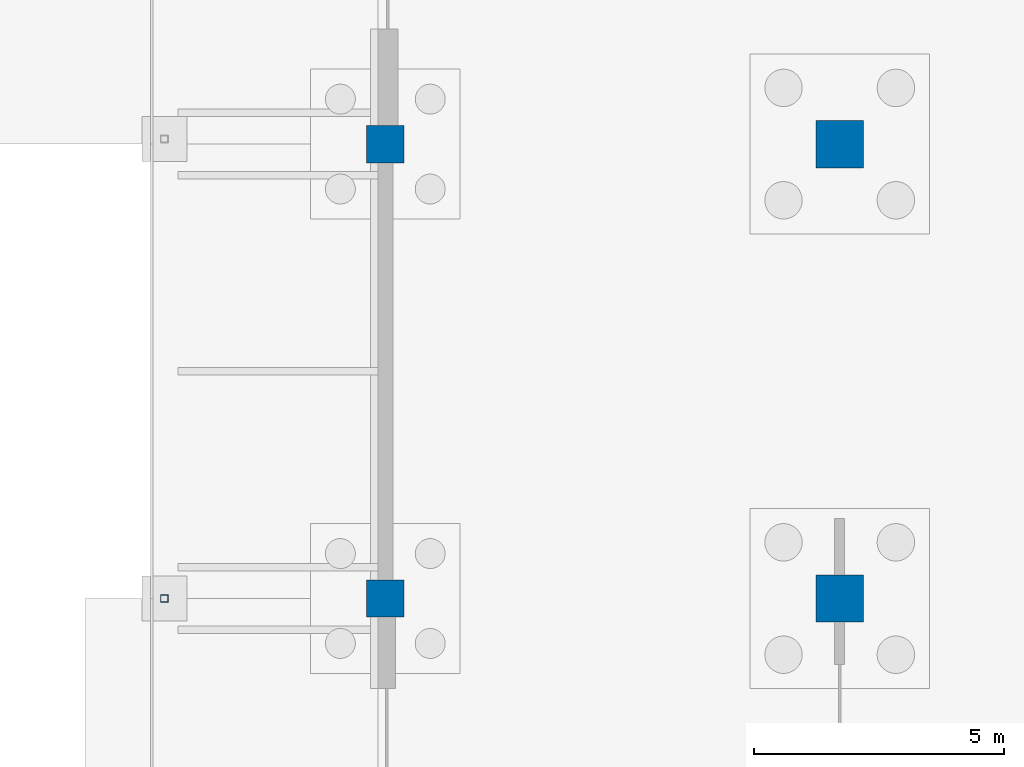
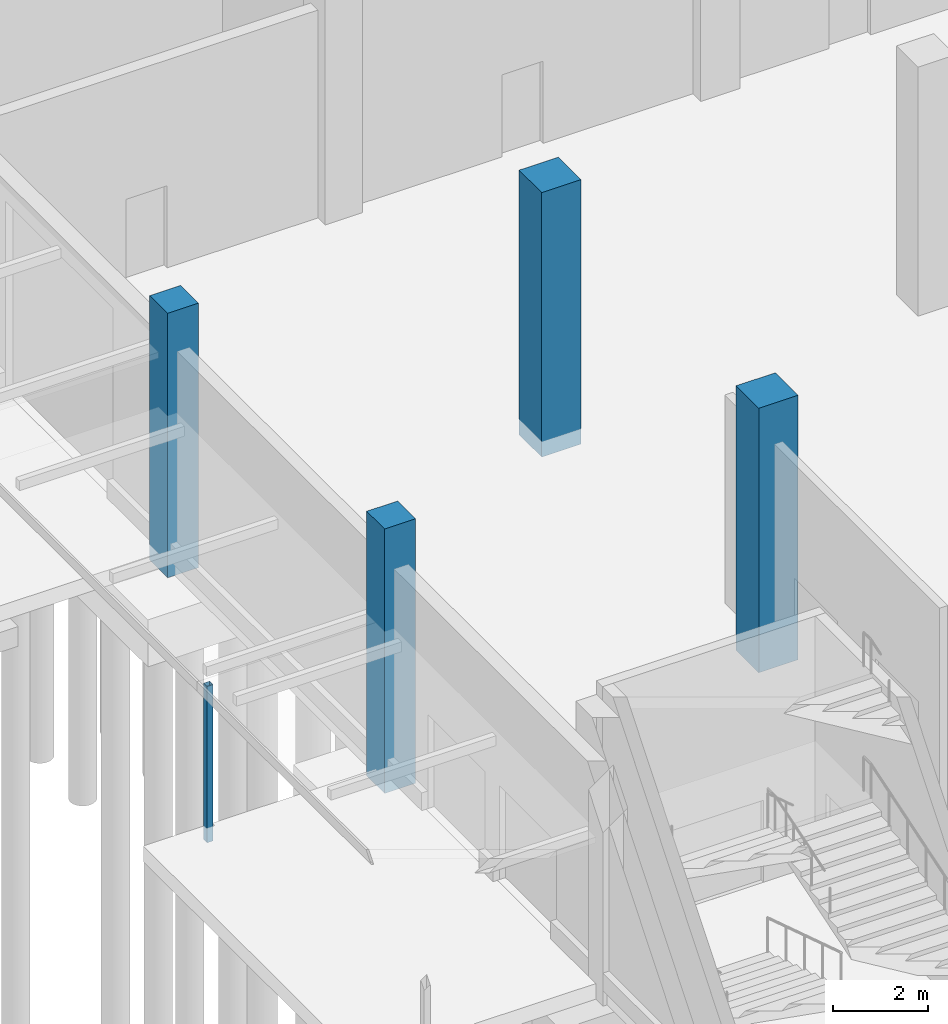
# One storey, part 9 of 129: 5 columns.
"""IFC4 building model written with IfcOpenShell, lengths in metres."""

from ifc_helpers import new_model, si_unit, direction, frame, origin, origin_2d, place, context, subcontext, project, spatial, rectangle, hollow_rectangle, extrude, material, material_profile, profile_set, type_object, element, save


model = new_model("IFC4")

# Units and contexts
model_context = context("Model", 3, precision=1e-05, world=origin(), true_north=direction((0.0, 1.0)))
body_context = subcontext(model_context, "Body", "Model", "MODEL_VIEW")
ifc_project = project(units=[si_unit("LENGTHUNIT", "METRE"), si_unit("AREAUNIT", "SQUARE_METRE"), si_unit("VOLUMEUNIT", "CUBIC_METRE"), si_unit("PLANEANGLEUNIT", "RADIAN"), si_unit("MASSUNIT", "GRAM", prefix="KILO")], contexts=[model_context])

# Site, building, storey
site_placement = place(None, origin())
site = spatial("IfcSite", under=ifc_project, at=site_placement, CompositionType="ELEMENT")
building_placement = place(site_placement, origin())
building = spatial("IfcBuilding", under=site, at=building_placement, Name="Shirokan Park Arena", CompositionType="ELEMENT")
storey_placement = place(building_placement, origin())
storey = spatial("IfcBuildingStorey", under=building, at=storey_placement, Name="L00", CompositionType="ELEMENT", Elevation=0.0)

# Columns
ifc_material_1 = material(Name="Concrete C35", Category="concrete")
ifc_material_profile_1 = material_profile(ifc_material_1, rectangle(XDim=0.75, YDim=0.75, at=origin_2d()), Name="750x750")
ifc_profile_set_1 = profile_set([ifc_material_profile_1], Name="Concrete C35")
column_type_1 = type_object("IfcColumnType", Name="RC column 750x750", PredefinedType="COLUMN", material=ifc_profile_set_1)
for number, where, z_axis, x_axis, name in (
    (1, (0.0, 18.199951171875, -0.39990234375), (0.0, 0.0, 1.0), (1.0, 0.0, 0.0), "Column 1C L00"),
    (2, (0.0, 27.300048828125, -0.39990234375), (0.0, 0.0, 1.0), (1.0, 0.0, 0.0), "Column 1D L00"),
):
    element("IfcColumn", number, at=place(storey_placement, frame(where, z_axis=z_axis, x_axis=x_axis)), inside=storey, type_object=column_type_1, Name=name, PredefinedType="COLUMN", context=body_context, shape_type="SweptSolid", body=[
        extrude(rectangle(XDim=0.75, YDim=0.75, at=origin_2d()), origin(), (0.0, 0.0, 1.0), 6.77001953125),
    ])
ifc_material_profile_2 = material_profile(ifc_material_1, rectangle(XDim=0.949951171875, YDim=0.949951171875, at=origin_2d()), Name="950x950")
ifc_profile_set_2 = profile_set([ifc_material_profile_2], Name="Concrete C35")
column_type_2 = type_object("IfcColumnType", Name="RC column 950x950", PredefinedType="COLUMN", material=ifc_profile_set_2)
for number, where, z_axis, x_axis, name in (
    (3, (9.10009765625, 18.199951171875, -0.39990234375), (0.0, 0.0, 1.0), (1.0, 0.0, 0.0), "Column 2C L00"),
    (4, (9.10009765625, 27.300048828125, -0.39990234375), (0.0, 0.0, 1.0), (1.0, 0.0, 0.0), "Column 2D L00"),
):
    element("IfcColumn", number, at=place(storey_placement, frame(where, z_axis=z_axis, x_axis=x_axis)), inside=storey, type_object=column_type_2, Name=name, PredefinedType="COLUMN", context=body_context, shape_type="SweptSolid", body=[
        extrude(rectangle(XDim=0.949951171875, YDim=0.949951171875, at=origin_2d()), origin(), (0.0, 0.0, 1.0), 6.77001953125),
    ])
ifc_material_2 = material(Name="Steel S355", Category="steel")
ifc_material_profile_3 = material_profile(ifc_material_2, hollow_rectangle(XDim=0.14990234375, YDim=0.14990234375, WallThickness=0.008056640625, at=origin_2d()), Name="RHS 150x150x8")
ifc_profile_set_3 = profile_set([ifc_material_profile_3], Name="Steel S355")
column_type_3 = type_object("IfcColumnType", Name="Steel post RHS 150x150x8", PredefinedType="COLUMN", material=ifc_profile_set_3)
column_placement = place(storey_placement, frame((-4.425048828125, 18.199951171875, -0.39990234375), z_axis=(0.0, 0.0, 1.0), x_axis=(1.0, 0.0, 0.0)))
element("IfcColumn", 5, at=column_placement, inside=storey, type_object=column_type_3, Name="Canopy post west grid 11", PredefinedType="COLUMN", context=body_context, shape_type="SweptSolid", body=[
    extrude(hollow_rectangle(XDim=0.14990234375, YDim=0.14990234375, WallThickness=0.008056640625, at=origin_2d()), origin(), (0.0, 0.0, 1.0), 4.0),
])

save(model, "model.ifc")
